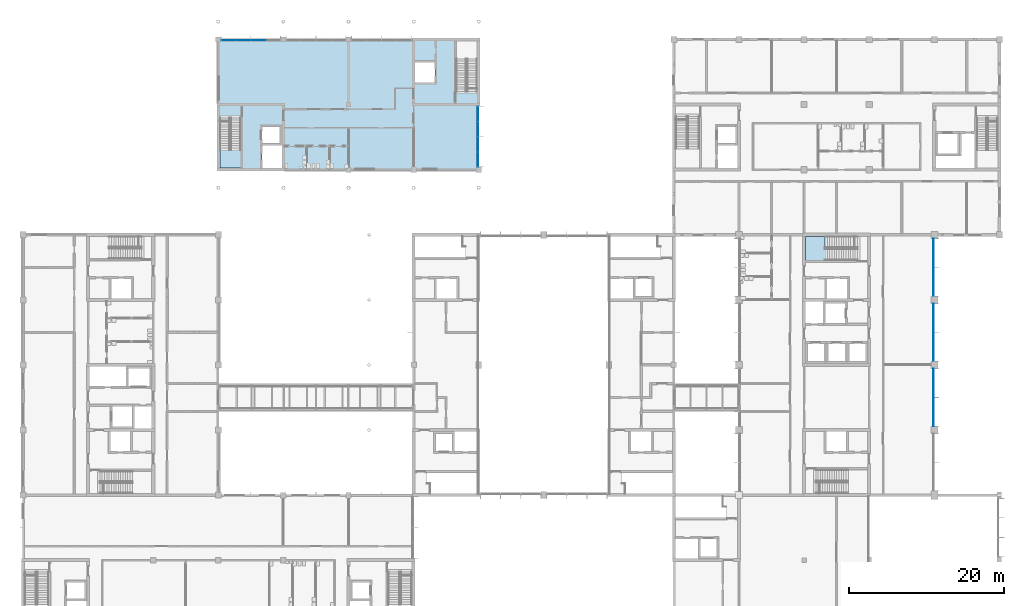
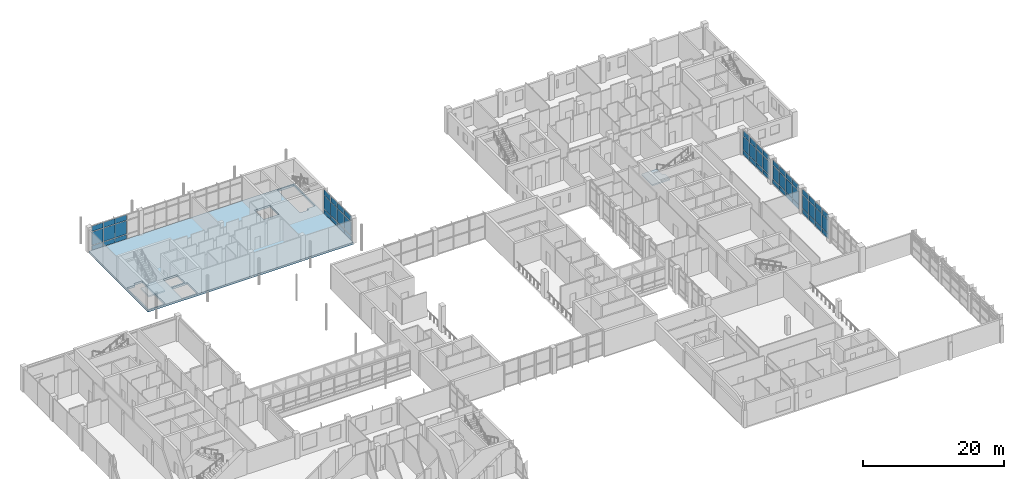
# One storey, part 29 of 70: 57 plates, 3 slabs, 7 elements without a shape of their own.
"""IFC4 building model written with IfcOpenShell, lengths in metres."""

from ifc_helpers import new_model, si_unit, direction, frame, origin, origin_2d, place, context, subcontext, project, spatial, polyline, rectangle, outline, extrude, material, layer, layer_set, type_object, element, aggregate, save


model = new_model("IFC4")

# Units and contexts
model_context = context("Model", 3, precision=1e-05, world=origin(), true_north=direction((0.0, 1.0)))
body_context = subcontext(model_context, "Body", "Model", "MODEL_VIEW")
ifc_project = project(units=[si_unit("LENGTHUNIT", "METRE"), si_unit("AREAUNIT", "SQUARE_METRE"), si_unit("VOLUMEUNIT", "CUBIC_METRE"), si_unit("PLANEANGLEUNIT", "RADIAN"), si_unit("MASSUNIT", "GRAM", prefix="KILO")], contexts=[model_context])

# Site, building, storey
site_placement = place(None, origin())
site = spatial("IfcSite", under=ifc_project, at=site_placement, CompositionType="ELEMENT")
building_placement = place(site_placement, origin())
building = spatial("IfcBuilding", under=site, at=building_placement, Name="Hlaing Beacon Police Headquarters", CompositionType="ELEMENT")
storey_placement = place(building_placement, frame((0.0, 0.0, 5.39990234375)))
storey = spatial("IfcBuildingStorey", under=building, at=storey_placement, Name="L01", CompositionType="ELEMENT", Elevation=5.39990234375)

# Curtain wall, plates
ifc_material_1 = material(Name="Aluminium frame with solar control glazing", Category="aluminium")
curtain_wall_type_1 = type_object("IfcCurtainWallType", Name="Unitised curtain wall 7.70 x 4.37", PredefinedType="NOTDEFINED", material=ifc_material_1)
curtain_wall_1_placement = place(storey_placement, origin())
curtain_wall_1 = element("IfcCurtainWall", 1, at=curtain_wall_1_placement, inside=storey, type_object=curtain_wall_type_1, Name="ENV-CW-L01-N030", PredefinedType="NOTDEFINED")
ifc_material_2 = material(Name="Solar control glazing", Category="glass")
ifc_layer_1 = layer(ifc_material_2, 0.02392578125)
ifc_layer_set_1 = layer_set([ifc_layer_1], Name="Solar control glazing")
plate_type_1 = type_object("IfcPlateType", Name="Clear glazing panel 24", PredefinedType="CURTAIN_PANEL", material=ifc_layer_set_1)
plate_1_placement = place(storey_placement, frame((38.762451171875, 92.300048828125, 3.35009765625), z_axis=(0.0, 0.0, 1.0), x_axis=(-1.0, 0.0, 0.0)))
plate_1 = element("IfcPlate", 2, at=plate_1_placement, type_object=plate_type_1, Name="CW-L01-N030 panel 2.3", PredefinedType="CURTAIN_PANEL", context=body_context, shape_type="SweptSolid", body=[
    extrude(rectangle(XDim=1.864990234375, YDim=0.02392578125, at=origin_2d()), origin(), (0.0, 0.0, 1.0), 0.919921875),
])
plate_2_placement = place(storey_placement, frame((36.83740234375, 92.300048828125, 3.35009765625), z_axis=(0.0, 0.0, 1.0), x_axis=(-1.0, 0.0, 0.0)))
plate_2 = element("IfcPlate", 3, at=plate_2_placement, type_object=plate_type_1, Name="CW-L01-N030 panel 3.3", PredefinedType="CURTAIN_PANEL", context=body_context, shape_type="SweptSolid", body=[
    extrude(rectangle(XDim=1.864990234375, YDim=0.02392578125, at=origin_2d()), origin(), (0.0, 0.0, 1.0), 0.919921875),
])
plate_3_placement = place(storey_placement, frame((34.927490234375, 92.300048828125, 3.35009765625), z_axis=(0.0, 0.0, 1.0), x_axis=(-1.0, 0.0, 0.0)))
plate_3 = element("IfcPlate", 4, at=plate_3_placement, type_object=plate_type_1, Name="CW-L01-N030 panel 4.3", PredefinedType="CURTAIN_PANEL", context=body_context, shape_type="SweptSolid", body=[
    extrude(rectangle(XDim=1.8349609375, YDim=0.02392578125, at=origin_2d()), origin(), (0.0, 0.0, 1.0), 0.919921875),
])

ifc_material_3 = material(Name="Aluminium frame with solar control glazing", Category="aluminium")
curtain_wall_type_2 = type_object("IfcCurtainWallType", Name="Unitised curtain wall 7.85 x 4.37", PredefinedType="NOTDEFINED", material=ifc_material_3)
curtain_wall_2_placement = place(storey_placement, origin())
curtain_wall_2 = element("IfcCurtainWall", 5, at=curtain_wall_2_placement, inside=storey, type_object=curtain_wall_type_2, Name="ENV-CW-L01-E031", PredefinedType="NOTDEFINED")
plate_4_placement = place(storey_placement, frame((67.10009765625, 76.9462890625, 3.35009765625), z_axis=(0.0, 0.0, 1.0), x_axis=(0.0, 1.0, 0.0)))
plate_4 = element("IfcPlate", 6, at=plate_4_placement, type_object=plate_type_1, Name="CW-L01-E031 panel 1.3", PredefinedType="CURTAIN_PANEL", context=body_context, shape_type="SweptSolid", body=[
    extrude(rectangle(XDim=1.87255859375, YDim=0.02392578125, at=origin_2d()), origin(), (0.0, 0.0, 1.0), 0.919921875),
])
plate_5_placement = place(storey_placement, frame((67.10009765625, 78.893798828125, 3.35009765625), z_axis=(0.0, 0.0, 1.0), x_axis=(0.0, 1.0, 0.0)))
plate_5 = element("IfcPlate", 7, at=plate_5_placement, type_object=plate_type_1, Name="CW-L01-E031 panel 2.3", PredefinedType="CURTAIN_PANEL", context=body_context, shape_type="SweptSolid", body=[
    extrude(rectangle(XDim=1.902587890625, YDim=0.02392578125, at=origin_2d()), origin(), (0.0, 0.0, 1.0), 0.919921875),
])
plate_6_placement = place(storey_placement, frame((67.10009765625, 80.856201171875, 3.35009765625), z_axis=(0.0, 0.0, 1.0), x_axis=(0.0, 1.0, 0.0)))
plate_6 = element("IfcPlate", 8, at=plate_6_placement, type_object=plate_type_1, Name="CW-L01-E031 panel 3.3", PredefinedType="CURTAIN_PANEL", context=body_context, shape_type="SweptSolid", body=[
    extrude(rectangle(XDim=1.902587890625, YDim=0.02392578125, at=origin_2d()), origin(), (0.0, 0.0, 1.0), 0.919921875),
])
plate_7_placement = place(storey_placement, frame((67.10009765625, 82.8037109375, 3.35009765625), z_axis=(0.0, 0.0, 1.0), x_axis=(0.0, 1.0, 0.0)))
plate_7 = element("IfcPlate", 9, at=plate_7_placement, type_object=plate_type_1, Name="CW-L01-E031 panel 4.3", PredefinedType="CURTAIN_PANEL", context=body_context, shape_type="SweptSolid", body=[
    extrude(rectangle(XDim=1.87255859375, YDim=0.02392578125, at=origin_2d()), origin(), (0.0, 0.0, 1.0), 0.919921875),
])

ifc_material_4 = material(Name="Aluminium frame with solar control glazing", Category="aluminium")
curtain_wall_type_3 = type_object("IfcCurtainWallType", Name="Unitised curtain wall 7.50 x 4.37", PredefinedType="NOTDEFINED", material=ifc_material_4)
curtain_wall_3_placement = place(storey_placement, origin())
curtain_wall_3 = element("IfcCurtainWall", 10, at=curtain_wall_3_placement, inside=storey, type_object=curtain_wall_type_3, Name="ENV-CW-L01-E020", PredefinedType="NOTDEFINED")
ifc_material_5 = material(Name="Solar control glazing", Category="glass")
ifc_layer_2 = layer(ifc_material_5, 0.0439453125)
ifc_layer_set_2 = layer_set([ifc_layer_2], Name="Solar control glazing")
plate_type_2 = type_object("IfcPlateType", Name="Clear glazing panel 44", PredefinedType="CURTAIN_PANEL", material=ifc_layer_set_2)
plate_8_placement = place(storey_placement, frame((125.89990234375, 45.262451171875, 0.9501953125), z_axis=(0.0, 0.0, 1.0), x_axis=(0.0, 1.0, 0.0)))
plate_8 = element("IfcPlate", 11, at=plate_8_placement, type_object=plate_type_2, Name="CW-L01-E020 panel 2.2", PredefinedType="CURTAIN_PANEL", context=body_context, shape_type="SweptSolid", body=[
    extrude(rectangle(XDim=1.81494140625, YDim=0.0439453125, at=origin_2d()), origin(), (0.0, 0.0, 1.0), 2.300048828125),
])
plate_9_placement = place(storey_placement, frame((125.89990234375, 48.99755859375, 0.9501953125), z_axis=(0.0, 0.0, 1.0), x_axis=(0.0, 1.0, 0.0)))
plate_9 = element("IfcPlate", 12, at=plate_9_placement, type_object=plate_type_2, Name="CW-L01-E020 panel 4.2", PredefinedType="CURTAIN_PANEL", context=body_context, shape_type="SweptSolid", body=[
    extrude(rectangle(XDim=1.784912109375, YDim=0.0439453125, at=origin_2d()), origin(), (0.0, 0.0, 1.0), 2.300048828125),
])

curtain_wall_4_placement = place(storey_placement, origin())
curtain_wall_4 = element("IfcCurtainWall", 13, at=curtain_wall_4_placement, inside=storey, type_object=curtain_wall_type_3, Name="ENV-CW-L01-E021", PredefinedType="NOTDEFINED")
plate_10_placement = place(storey_placement, frame((125.89990234375, 53.66259765625, 0.9501953125), z_axis=(0.0, 0.0, 1.0), x_axis=(0.0, 1.0, 0.0)))
plate_10 = element("IfcPlate", 14, at=plate_10_placement, type_object=plate_type_2, Name="CW-L01-E021 panel 2.2", PredefinedType="CURTAIN_PANEL", context=body_context, shape_type="SweptSolid", body=[
    extrude(rectangle(XDim=1.81494140625, YDim=0.0439453125, at=origin_2d()), origin(), (0.0, 0.0, 1.0), 2.300048828125),
])
plate_11_placement = place(storey_placement, frame((125.89990234375, 57.3974609375, 0.9501953125), z_axis=(0.0, 0.0, 1.0), x_axis=(0.0, 1.0, 0.0)))
plate_11 = element("IfcPlate", 15, at=plate_11_placement, type_object=plate_type_2, Name="CW-L01-E021 panel 4.2", PredefinedType="CURTAIN_PANEL", context=body_context, shape_type="SweptSolid", body=[
    extrude(rectangle(XDim=1.784912109375, YDim=0.0439453125, at=origin_2d()), origin(), (0.0, 0.0, 1.0), 2.300048828125),
])

curtain_wall_5_placement = place(storey_placement, origin())
curtain_wall_5 = element("IfcCurtainWall", 16, at=curtain_wall_5_placement, inside=storey, type_object=curtain_wall_type_3, Name="ENV-CW-L01-E022", PredefinedType="NOTDEFINED")
plate_12_placement = place(storey_placement, frame((125.89990234375, 62.0625, 0.9501953125), z_axis=(0.0, 0.0, 1.0), x_axis=(0.0, 1.0, 0.0)))
plate_12 = element("IfcPlate", 17, at=plate_12_placement, type_object=plate_type_2, Name="CW-L01-E022 panel 2.2", PredefinedType="CURTAIN_PANEL", context=body_context, shape_type="SweptSolid", body=[
    extrude(rectangle(XDim=1.81494140625, YDim=0.0439453125, at=origin_2d()), origin(), (0.0, 0.0, 1.0), 2.300048828125),
])
plate_13_placement = place(storey_placement, frame((125.89990234375, 65.797607421875, 0.9501953125), z_axis=(0.0, 0.0, 1.0), x_axis=(0.0, 1.0, 0.0)))
plate_13 = element("IfcPlate", 18, at=plate_13_placement, type_object=plate_type_2, Name="CW-L01-E022 panel 4.2", PredefinedType="CURTAIN_PANEL", context=body_context, shape_type="SweptSolid", body=[
    extrude(rectangle(XDim=1.784912109375, YDim=0.0439453125, at=origin_2d()), origin(), (0.0, 0.0, 1.0), 2.300048828125),
])

# Plate
plate_14_placement = place(storey_placement, frame((38.762451171875, 92.300048828125, 0.9501953125), z_axis=(0.0, 0.0, 1.0), x_axis=(-1.0, 0.0, 0.0)))
plate_14 = element("IfcPlate", 19, at=plate_14_placement, type_object=plate_type_2, Name="CW-L01-N030 panel 2.2", PredefinedType="CURTAIN_PANEL", context=body_context, shape_type="SweptSolid", body=[
    extrude(rectangle(XDim=1.864990234375, YDim=0.0439453125, at=origin_2d()), origin(), (0.0, 0.0, 1.0), 2.300048828125),
])

plate_15_placement = place(storey_placement, frame((36.83740234375, 92.300048828125, 0.9501953125), z_axis=(0.0, 0.0, 1.0), x_axis=(-1.0, 0.0, 0.0)))
plate_15 = element("IfcPlate", 20, at=plate_15_placement, type_object=plate_type_2, Name="CW-L01-N030 panel 3.2", PredefinedType="CURTAIN_PANEL", context=body_context, shape_type="SweptSolid", body=[
    extrude(rectangle(XDim=1.864990234375, YDim=0.0439453125, at=origin_2d()), origin(), (0.0, 0.0, 1.0), 2.300048828125),
])

plate_16_placement = place(storey_placement, frame((34.927490234375, 92.300048828125, 0.9501953125), z_axis=(0.0, 0.0, 1.0), x_axis=(-1.0, 0.0, 0.0)))
plate_16 = element("IfcPlate", 21, at=plate_16_placement, type_object=plate_type_2, Name="CW-L01-N030 panel 4.2", PredefinedType="CURTAIN_PANEL", context=body_context, shape_type="SweptSolid", body=[
    extrude(rectangle(XDim=1.8349609375, YDim=0.0439453125, at=origin_2d()), origin(), (0.0, 0.0, 1.0), 2.300048828125),
])

plate_17_placement = place(storey_placement, frame((67.10009765625, 76.9462890625, 0.9501953125), z_axis=(0.0, 0.0, 1.0), x_axis=(0.0, 1.0, 0.0)))
plate_17 = element("IfcPlate", 22, at=plate_17_placement, type_object=plate_type_2, Name="CW-L01-E031 panel 1.2", PredefinedType="CURTAIN_PANEL", context=body_context, shape_type="SweptSolid", body=[
    extrude(rectangle(XDim=1.87255859375, YDim=0.0439453125, at=origin_2d()), origin(), (0.0, 0.0, 1.0), 2.300048828125),
])

plate_18_placement = place(storey_placement, frame((67.10009765625, 78.893798828125, 0.9501953125), z_axis=(0.0, 0.0, 1.0), x_axis=(0.0, 1.0, 0.0)))
plate_18 = element("IfcPlate", 23, at=plate_18_placement, type_object=plate_type_2, Name="CW-L01-E031 panel 2.2", PredefinedType="CURTAIN_PANEL", context=body_context, shape_type="SweptSolid", body=[
    extrude(rectangle(XDim=1.902587890625, YDim=0.0439453125, at=origin_2d()), origin(), (0.0, 0.0, 1.0), 2.300048828125),
])

plate_19_placement = place(storey_placement, frame((67.10009765625, 80.856201171875, 0.9501953125), z_axis=(0.0, 0.0, 1.0), x_axis=(0.0, 1.0, 0.0)))
plate_19 = element("IfcPlate", 24, at=plate_19_placement, type_object=plate_type_2, Name="CW-L01-E031 panel 3.2", PredefinedType="CURTAIN_PANEL", context=body_context, shape_type="SweptSolid", body=[
    extrude(rectangle(XDim=1.902587890625, YDim=0.0439453125, at=origin_2d()), origin(), (0.0, 0.0, 1.0), 2.300048828125),
])

plate_20_placement = place(storey_placement, frame((67.10009765625, 82.8037109375, 0.9501953125), z_axis=(0.0, 0.0, 1.0), x_axis=(0.0, 1.0, 0.0)))
plate_20 = element("IfcPlate", 25, at=plate_20_placement, type_object=plate_type_2, Name="CW-L01-E031 panel 4.2", PredefinedType="CURTAIN_PANEL", context=body_context, shape_type="SweptSolid", body=[
    extrude(rectangle(XDim=1.87255859375, YDim=0.0439453125, at=origin_2d()), origin(), (0.0, 0.0, 1.0), 2.300048828125),
])

# Slab
ifc_material_6 = material(Name="Concrete C50/60", Category="concrete")
ifc_layer_3 = layer(ifc_material_6, 0.35009765625)
ifc_layer_set_3 = layer_set([ifc_layer_3], Name="Concrete C50/60")
slab_type_1 = type_object("IfcSlabType", Name="Flat slab 350", PredefinedType="FLOOR", material=ifc_layer_set_3)
slab_1_placement = place(storey_placement, frame((0.0, 0.0, -0.349853515625)))
element("IfcSlab", 26, at=slab_1_placement, inside=storey, type_object=slab_type_1, Name="STR-SLAB-L01-05", PredefinedType="FLOOR", context=body_context, shape_type="SweptSolid", body=[
    extrude(outline(polyline([(33.60009765625, 75.60009765625), (67.199951171875, 75.60009765625), (67.199951171875, 92.39990234375), (33.60009765625, 92.39990234375), (33.60009765625, 75.60009765625)]), holes=[polyline([(33.800048828125, 75.800048828125), (36.5, 75.800048828125), (36.5, 82.2900390625), (35.10009765625, 82.2900390625), (35.10009765625, 81.89990234375), (33.800048828125, 81.89990234375), (33.800048828125, 75.800048828125)]), polyline([(39.25, 75.800048828125), (41.800048828125, 75.800048828125), (41.800048828125, 78.75), (39.25, 78.75), (39.25, 75.800048828125)]), polyline([(39.25, 79.0), (41.550048828125, 79.0), (41.550048828125, 81.14990234375), (39.25, 81.14990234375), (39.25, 79.0)]), polyline([(59.0, 86.85009765625), (61.550048828125, 86.85009765625), (61.550048828125, 89.449951171875), (59.0, 89.449951171875), (59.0, 86.85009765625)]), polyline([(64.300048828125, 85.7099609375), (65.699951171875, 85.7099609375), (65.699951171875, 86.10009765625), (67.0, 86.10009765625), (67.0, 92.199951171875), (64.300048828125, 92.199951171875), (64.300048828125, 85.7099609375)])]), origin(), (0.0, 0.0, 1.0), 0.349853515625),
])

# Plate
ifc_material_7 = material(Name="Fritted solar control glazing", Category="glass")
ifc_layer_4 = layer(ifc_material_7, 0.0439453125)
ifc_layer_set_4 = layer_set([ifc_layer_4], Name="Fritted solar control glazing")
plate_type_3 = type_object("IfcPlateType", Name="Fritted glazing panel 44", PredefinedType="CURTAIN_PANEL", material=ifc_layer_set_4)
plate_21_placement = place(storey_placement, frame((125.89990234375, 43.402587890625, 0.9501953125), z_axis=(0.0, 0.0, 1.0), x_axis=(0.0, 1.0, 0.0)))
plate_21 = element("IfcPlate", 27, at=plate_21_placement, type_object=plate_type_3, Name="CW-L01-E020 panel 1.2", PredefinedType="CURTAIN_PANEL", context=body_context, shape_type="SweptSolid", body=[
    extrude(rectangle(XDim=1.784912109375, YDim=0.0439453125, at=origin_2d()), origin(), (0.0, 0.0, 1.0), 2.300048828125),
])

plate_22_placement = place(storey_placement, frame((125.89990234375, 47.137451171875, 0.9501953125), z_axis=(0.0, 0.0, 1.0), x_axis=(0.0, 1.0, 0.0)))
plate_22 = element("IfcPlate", 28, at=plate_22_placement, type_object=plate_type_3, Name="CW-L01-E020 panel 3.2", PredefinedType="CURTAIN_PANEL", context=body_context, shape_type="SweptSolid", body=[
    extrude(rectangle(XDim=1.81494140625, YDim=0.0439453125, at=origin_2d()), origin(), (0.0, 0.0, 1.0), 2.300048828125),
])

plate_23_placement = place(storey_placement, frame((125.89990234375, 51.802490234375, 0.9501953125), z_axis=(0.0, 0.0, 1.0), x_axis=(0.0, 1.0, 0.0)))
plate_23 = element("IfcPlate", 29, at=plate_23_placement, type_object=plate_type_3, Name="CW-L01-E021 panel 1.2", PredefinedType="CURTAIN_PANEL", context=body_context, shape_type="SweptSolid", body=[
    extrude(rectangle(XDim=1.784912109375, YDim=0.0439453125, at=origin_2d()), origin(), (0.0, 0.0, 1.0), 2.300048828125),
])

plate_24_placement = place(storey_placement, frame((125.89990234375, 55.53759765625, 0.9501953125), z_axis=(0.0, 0.0, 1.0), x_axis=(0.0, 1.0, 0.0)))
plate_24 = element("IfcPlate", 30, at=plate_24_placement, type_object=plate_type_3, Name="CW-L01-E021 panel 3.2", PredefinedType="CURTAIN_PANEL", context=body_context, shape_type="SweptSolid", body=[
    extrude(rectangle(XDim=1.81494140625, YDim=0.0439453125, at=origin_2d()), origin(), (0.0, 0.0, 1.0), 2.300048828125),
])

plate_25_placement = place(storey_placement, frame((125.89990234375, 60.202392578125, 0.9501953125), z_axis=(0.0, 0.0, 1.0), x_axis=(0.0, 1.0, 0.0)))
plate_25 = element("IfcPlate", 31, at=plate_25_placement, type_object=plate_type_3, Name="CW-L01-E022 panel 1.2", PredefinedType="CURTAIN_PANEL", context=body_context, shape_type="SweptSolid", body=[
    extrude(rectangle(XDim=1.784912109375, YDim=0.0439453125, at=origin_2d()), origin(), (0.0, 0.0, 1.0), 2.300048828125),
])

plate_26_placement = place(storey_placement, frame((125.89990234375, 63.9375, 0.9501953125), z_axis=(0.0, 0.0, 1.0), x_axis=(0.0, 1.0, 0.0)))
plate_26 = element("IfcPlate", 32, at=plate_26_placement, type_object=plate_type_3, Name="CW-L01-E022 panel 3.2", PredefinedType="CURTAIN_PANEL", context=body_context, shape_type="SweptSolid", body=[
    extrude(rectangle(XDim=1.81494140625, YDim=0.0439453125, at=origin_2d()), origin(), (0.0, 0.0, 1.0), 2.300048828125),
])

ifc_material_8 = material(Name="Insulated aluminium spandrel", Category="aluminium")
ifc_layer_5 = layer(ifc_material_8, 0.0400390625)
ifc_layer_set_5 = layer_set([ifc_layer_5], Name="Insulated aluminium spandrel")
plate_type_4 = type_object("IfcPlateType", Name="Insulated spandrel panel 40", PredefinedType="CURTAIN_PANEL", material=ifc_layer_set_5)
plate_27_placement = place(storey_placement, frame((38.762451171875, 92.300048828125, 0.10009765625), z_axis=(0.0, 0.0, 1.0), x_axis=(-1.0, 0.0, 0.0)))
plate_27 = element("IfcPlate", 33, at=plate_27_placement, type_object=plate_type_4, Name="CW-L01-N030 panel 2.1", PredefinedType="CURTAIN_PANEL", context=body_context, shape_type="SweptSolid", body=[
    extrude(rectangle(XDim=1.864990234375, YDim=0.0400390625, at=origin_2d()), origin(), (0.0, 0.0, 1.0), 0.75),
])

plate_28_placement = place(storey_placement, frame((36.83740234375, 92.300048828125, 0.10009765625), z_axis=(0.0, 0.0, 1.0), x_axis=(-1.0, 0.0, 0.0)))
plate_28 = element("IfcPlate", 34, at=plate_28_placement, type_object=plate_type_4, Name="CW-L01-N030 panel 3.1", PredefinedType="CURTAIN_PANEL", context=body_context, shape_type="SweptSolid", body=[
    extrude(rectangle(XDim=1.864990234375, YDim=0.0400390625, at=origin_2d()), origin(), (0.0, 0.0, 1.0), 0.75),
])

plate_29_placement = place(storey_placement, frame((34.927490234375, 92.300048828125, 0.10009765625), z_axis=(0.0, 0.0, 1.0), x_axis=(-1.0, 0.0, 0.0)))
plate_29 = element("IfcPlate", 35, at=plate_29_placement, type_object=plate_type_4, Name="CW-L01-N030 panel 4.1", PredefinedType="CURTAIN_PANEL", context=body_context, shape_type="SweptSolid", body=[
    extrude(rectangle(XDim=1.8349609375, YDim=0.0400390625, at=origin_2d()), origin(), (0.0, 0.0, 1.0), 0.75),
])

aggregate(curtain_wall_1, [plate_27, plate_14, plate_1, plate_28, plate_15, plate_2, plate_29, plate_16, plate_3])

ifc_material_9 = material(Name="Insulated aluminium spandrel", Category="aluminium")
ifc_layer_6 = layer(ifc_material_9, 0.06005859375)
ifc_layer_set_6 = layer_set([ifc_layer_6], Name="Insulated aluminium spandrel")
plate_type_5 = type_object("IfcPlateType", Name="Insulated spandrel panel 60", PredefinedType="CURTAIN_PANEL", material=ifc_layer_set_6)
plate_30_placement = place(storey_placement, frame((125.89990234375, 43.402587890625, 0.10009765625), z_axis=(0.0, 0.0, 1.0), x_axis=(0.0, 1.0, 0.0)))
plate_30 = element("IfcPlate", 36, at=plate_30_placement, type_object=plate_type_5, Name="CW-L01-E020 panel 1.1", PredefinedType="CURTAIN_PANEL", context=body_context, shape_type="SweptSolid", body=[
    extrude(rectangle(XDim=1.784912109375, YDim=0.06005859375, at=origin_2d()), origin(), (0.0, 0.0, 1.0), 0.75),
])

plate_31_placement = place(storey_placement, frame((125.89990234375, 45.262451171875, 0.10009765625), z_axis=(0.0, 0.0, 1.0), x_axis=(0.0, 1.0, 0.0)))
plate_31 = element("IfcPlate", 37, at=plate_31_placement, type_object=plate_type_5, Name="CW-L01-E020 panel 2.1", PredefinedType="CURTAIN_PANEL", context=body_context, shape_type="SweptSolid", body=[
    extrude(rectangle(XDim=1.81494140625, YDim=0.06005859375, at=origin_2d()), origin(), (0.0, 0.0, 1.0), 0.75),
])

plate_32_placement = place(storey_placement, frame((125.89990234375, 47.137451171875, 0.10009765625), z_axis=(0.0, 0.0, 1.0), x_axis=(0.0, 1.0, 0.0)))
plate_32 = element("IfcPlate", 38, at=plate_32_placement, type_object=plate_type_5, Name="CW-L01-E020 panel 3.1", PredefinedType="CURTAIN_PANEL", context=body_context, shape_type="SweptSolid", body=[
    extrude(rectangle(XDim=1.81494140625, YDim=0.06005859375, at=origin_2d()), origin(), (0.0, 0.0, 1.0), 0.75),
])

plate_33_placement = place(storey_placement, frame((125.89990234375, 48.99755859375, 0.10009765625), z_axis=(0.0, 0.0, 1.0), x_axis=(0.0, 1.0, 0.0)))
plate_33 = element("IfcPlate", 39, at=plate_33_placement, type_object=plate_type_5, Name="CW-L01-E020 panel 4.1", PredefinedType="CURTAIN_PANEL", context=body_context, shape_type="SweptSolid", body=[
    extrude(rectangle(XDim=1.784912109375, YDim=0.06005859375, at=origin_2d()), origin(), (0.0, 0.0, 1.0), 0.75),
])

plate_34_placement = place(storey_placement, frame((125.89990234375, 51.802490234375, 0.10009765625), z_axis=(0.0, 0.0, 1.0), x_axis=(0.0, 1.0, 0.0)))
plate_34 = element("IfcPlate", 40, at=plate_34_placement, type_object=plate_type_5, Name="CW-L01-E021 panel 1.1", PredefinedType="CURTAIN_PANEL", context=body_context, shape_type="SweptSolid", body=[
    extrude(rectangle(XDim=1.784912109375, YDim=0.06005859375, at=origin_2d()), origin(), (0.0, 0.0, 1.0), 0.75),
])

plate_35_placement = place(storey_placement, frame((125.89990234375, 53.66259765625, 0.10009765625), z_axis=(0.0, 0.0, 1.0), x_axis=(0.0, 1.0, 0.0)))
plate_35 = element("IfcPlate", 41, at=plate_35_placement, type_object=plate_type_5, Name="CW-L01-E021 panel 2.1", PredefinedType="CURTAIN_PANEL", context=body_context, shape_type="SweptSolid", body=[
    extrude(rectangle(XDim=1.81494140625, YDim=0.06005859375, at=origin_2d()), origin(), (0.0, 0.0, 1.0), 0.75),
])

plate_36_placement = place(storey_placement, frame((125.89990234375, 55.53759765625, 0.10009765625), z_axis=(0.0, 0.0, 1.0), x_axis=(0.0, 1.0, 0.0)))
plate_36 = element("IfcPlate", 42, at=plate_36_placement, type_object=plate_type_5, Name="CW-L01-E021 panel 3.1", PredefinedType="CURTAIN_PANEL", context=body_context, shape_type="SweptSolid", body=[
    extrude(rectangle(XDim=1.81494140625, YDim=0.06005859375, at=origin_2d()), origin(), (0.0, 0.0, 1.0), 0.75),
])

plate_37_placement = place(storey_placement, frame((125.89990234375, 57.3974609375, 0.10009765625), z_axis=(0.0, 0.0, 1.0), x_axis=(0.0, 1.0, 0.0)))
plate_37 = element("IfcPlate", 43, at=plate_37_placement, type_object=plate_type_5, Name="CW-L01-E021 panel 4.1", PredefinedType="CURTAIN_PANEL", context=body_context, shape_type="SweptSolid", body=[
    extrude(rectangle(XDim=1.784912109375, YDim=0.06005859375, at=origin_2d()), origin(), (0.0, 0.0, 1.0), 0.75),
])

plate_38_placement = place(storey_placement, frame((125.89990234375, 60.202392578125, 0.10009765625), z_axis=(0.0, 0.0, 1.0), x_axis=(0.0, 1.0, 0.0)))
plate_38 = element("IfcPlate", 44, at=plate_38_placement, type_object=plate_type_5, Name="CW-L01-E022 panel 1.1", PredefinedType="CURTAIN_PANEL", context=body_context, shape_type="SweptSolid", body=[
    extrude(rectangle(XDim=1.784912109375, YDim=0.06005859375, at=origin_2d()), origin(), (0.0, 0.0, 1.0), 0.75),
])

plate_39_placement = place(storey_placement, frame((125.89990234375, 62.0625, 0.10009765625), z_axis=(0.0, 0.0, 1.0), x_axis=(0.0, 1.0, 0.0)))
plate_39 = element("IfcPlate", 45, at=plate_39_placement, type_object=plate_type_5, Name="CW-L01-E022 panel 2.1", PredefinedType="CURTAIN_PANEL", context=body_context, shape_type="SweptSolid", body=[
    extrude(rectangle(XDim=1.81494140625, YDim=0.06005859375, at=origin_2d()), origin(), (0.0, 0.0, 1.0), 0.75),
])

plate_40_placement = place(storey_placement, frame((125.89990234375, 63.9375, 0.10009765625), z_axis=(0.0, 0.0, 1.0), x_axis=(0.0, 1.0, 0.0)))
plate_40 = element("IfcPlate", 46, at=plate_40_placement, type_object=plate_type_5, Name="CW-L01-E022 panel 3.1", PredefinedType="CURTAIN_PANEL", context=body_context, shape_type="SweptSolid", body=[
    extrude(rectangle(XDim=1.81494140625, YDim=0.06005859375, at=origin_2d()), origin(), (0.0, 0.0, 1.0), 0.75),
])

plate_41_placement = place(storey_placement, frame((125.89990234375, 65.797607421875, 0.10009765625), z_axis=(0.0, 0.0, 1.0), x_axis=(0.0, 1.0, 0.0)))
plate_41 = element("IfcPlate", 47, at=plate_41_placement, type_object=plate_type_5, Name="CW-L01-E022 panel 4.1", PredefinedType="CURTAIN_PANEL", context=body_context, shape_type="SweptSolid", body=[
    extrude(rectangle(XDim=1.784912109375, YDim=0.06005859375, at=origin_2d()), origin(), (0.0, 0.0, 1.0), 0.75),
])

plate_42_placement = place(storey_placement, frame((67.10009765625, 76.9462890625, 0.10009765625), z_axis=(0.0, 0.0, 1.0), x_axis=(0.0, 1.0, 0.0)))
plate_42 = element("IfcPlate", 48, at=plate_42_placement, type_object=plate_type_5, Name="CW-L01-E031 panel 1.1", PredefinedType="CURTAIN_PANEL", context=body_context, shape_type="SweptSolid", body=[
    extrude(rectangle(XDim=1.87255859375, YDim=0.06005859375, at=origin_2d()), origin(), (0.0, 0.0, 1.0), 0.75),
])

plate_43_placement = place(storey_placement, frame((67.10009765625, 78.893798828125, 0.10009765625), z_axis=(0.0, 0.0, 1.0), x_axis=(0.0, 1.0, 0.0)))
plate_43 = element("IfcPlate", 49, at=plate_43_placement, type_object=plate_type_5, Name="CW-L01-E031 panel 2.1", PredefinedType="CURTAIN_PANEL", context=body_context, shape_type="SweptSolid", body=[
    extrude(rectangle(XDim=1.902587890625, YDim=0.06005859375, at=origin_2d()), origin(), (0.0, 0.0, 1.0), 0.75),
])

plate_44_placement = place(storey_placement, frame((67.10009765625, 80.856201171875, 0.10009765625), z_axis=(0.0, 0.0, 1.0), x_axis=(0.0, 1.0, 0.0)))
plate_44 = element("IfcPlate", 50, at=plate_44_placement, type_object=plate_type_5, Name="CW-L01-E031 panel 3.1", PredefinedType="CURTAIN_PANEL", context=body_context, shape_type="SweptSolid", body=[
    extrude(rectangle(XDim=1.902587890625, YDim=0.06005859375, at=origin_2d()), origin(), (0.0, 0.0, 1.0), 0.75),
])

plate_45_placement = place(storey_placement, frame((67.10009765625, 82.8037109375, 0.10009765625), z_axis=(0.0, 0.0, 1.0), x_axis=(0.0, 1.0, 0.0)))
plate_45 = element("IfcPlate", 51, at=plate_45_placement, type_object=plate_type_5, Name="CW-L01-E031 panel 4.1", PredefinedType="CURTAIN_PANEL", context=body_context, shape_type="SweptSolid", body=[
    extrude(rectangle(XDim=1.87255859375, YDim=0.06005859375, at=origin_2d()), origin(), (0.0, 0.0, 1.0), 0.75),
])

aggregate(curtain_wall_2, [plate_42, plate_17, plate_4, plate_43, plate_18, plate_5, plate_44, plate_19, plate_6, plate_45, plate_20, plate_7])

ifc_material_10 = material(Name="Perforated aluminium", Category="aluminium")
ifc_layer_7 = layer(ifc_material_10, 0.00390625)
ifc_layer_set_7 = layer_set([ifc_layer_7], Name="Perforated aluminium")
plate_type_6 = type_object("IfcPlateType", Name="Perforated aluminium vent panel 4", PredefinedType="CURTAIN_PANEL", material=ifc_layer_set_7)
plate_46_placement = place(storey_placement, frame((125.89990234375, 43.402587890625, 3.35009765625), z_axis=(0.0, 0.0, 1.0), x_axis=(0.0, 1.0, 0.0)))
plate_46 = element("IfcPlate", 52, at=plate_46_placement, type_object=plate_type_6, Name="CW-L01-E020 panel 1.3", PredefinedType="CURTAIN_PANEL", context=body_context, shape_type="SweptSolid", body=[
    extrude(rectangle(XDim=1.784912109375, YDim=0.00390625, at=origin_2d()), origin(), (0.0, 0.0, 1.0), 0.919921875),
])

plate_47_placement = place(storey_placement, frame((125.89990234375, 45.262451171875, 3.35009765625), z_axis=(0.0, 0.0, 1.0), x_axis=(0.0, 1.0, 0.0)))
plate_47 = element("IfcPlate", 53, at=plate_47_placement, type_object=plate_type_6, Name="CW-L01-E020 panel 2.3", PredefinedType="CURTAIN_PANEL", context=body_context, shape_type="SweptSolid", body=[
    extrude(rectangle(XDim=1.81494140625, YDim=0.00390625, at=origin_2d()), origin(), (0.0, 0.0, 1.0), 0.919921875),
])

plate_48_placement = place(storey_placement, frame((125.89990234375, 47.137451171875, 3.35009765625), z_axis=(0.0, 0.0, 1.0), x_axis=(0.0, 1.0, 0.0)))
plate_48 = element("IfcPlate", 54, at=plate_48_placement, type_object=plate_type_6, Name="CW-L01-E020 panel 3.3", PredefinedType="CURTAIN_PANEL", context=body_context, shape_type="SweptSolid", body=[
    extrude(rectangle(XDim=1.81494140625, YDim=0.00390625, at=origin_2d()), origin(), (0.0, 0.0, 1.0), 0.919921875),
])

plate_49_placement = place(storey_placement, frame((125.89990234375, 48.99755859375, 3.35009765625), z_axis=(0.0, 0.0, 1.0), x_axis=(0.0, 1.0, 0.0)))
plate_49 = element("IfcPlate", 55, at=plate_49_placement, type_object=plate_type_6, Name="CW-L01-E020 panel 4.3", PredefinedType="CURTAIN_PANEL", context=body_context, shape_type="SweptSolid", body=[
    extrude(rectangle(XDim=1.784912109375, YDim=0.00390625, at=origin_2d()), origin(), (0.0, 0.0, 1.0), 0.919921875),
])

aggregate(curtain_wall_3, [plate_30, plate_21, plate_46, plate_31, plate_8, plate_47, plate_32, plate_22, plate_48, plate_33, plate_9, plate_49])

plate_50_placement = place(storey_placement, frame((125.89990234375, 51.802490234375, 3.35009765625), z_axis=(0.0, 0.0, 1.0), x_axis=(0.0, 1.0, 0.0)))
plate_50 = element("IfcPlate", 56, at=plate_50_placement, type_object=plate_type_6, Name="CW-L01-E021 panel 1.3", PredefinedType="CURTAIN_PANEL", context=body_context, shape_type="SweptSolid", body=[
    extrude(rectangle(XDim=1.784912109375, YDim=0.00390625, at=origin_2d()), origin(), (0.0, 0.0, 1.0), 0.919921875),
])

plate_51_placement = place(storey_placement, frame((125.89990234375, 53.66259765625, 3.35009765625), z_axis=(0.0, 0.0, 1.0), x_axis=(0.0, 1.0, 0.0)))
plate_51 = element("IfcPlate", 57, at=plate_51_placement, type_object=plate_type_6, Name="CW-L01-E021 panel 2.3", PredefinedType="CURTAIN_PANEL", context=body_context, shape_type="SweptSolid", body=[
    extrude(rectangle(XDim=1.81494140625, YDim=0.00390625, at=origin_2d()), origin(), (0.0, 0.0, 1.0), 0.919921875),
])

plate_52_placement = place(storey_placement, frame((125.89990234375, 55.53759765625, 3.35009765625), z_axis=(0.0, 0.0, 1.0), x_axis=(0.0, 1.0, 0.0)))
plate_52 = element("IfcPlate", 58, at=plate_52_placement, type_object=plate_type_6, Name="CW-L01-E021 panel 3.3", PredefinedType="CURTAIN_PANEL", context=body_context, shape_type="SweptSolid", body=[
    extrude(rectangle(XDim=1.81494140625, YDim=0.00390625, at=origin_2d()), origin(), (0.0, 0.0, 1.0), 0.919921875),
])

plate_53_placement = place(storey_placement, frame((125.89990234375, 57.3974609375, 3.35009765625), z_axis=(0.0, 0.0, 1.0), x_axis=(0.0, 1.0, 0.0)))
plate_53 = element("IfcPlate", 59, at=plate_53_placement, type_object=plate_type_6, Name="CW-L01-E021 panel 4.3", PredefinedType="CURTAIN_PANEL", context=body_context, shape_type="SweptSolid", body=[
    extrude(rectangle(XDim=1.784912109375, YDim=0.00390625, at=origin_2d()), origin(), (0.0, 0.0, 1.0), 0.919921875),
])

aggregate(curtain_wall_4, [plate_34, plate_23, plate_50, plate_35, plate_10, plate_51, plate_36, plate_24, plate_52, plate_37, plate_11, plate_53])

plate_54_placement = place(storey_placement, frame((125.89990234375, 60.202392578125, 3.35009765625), z_axis=(0.0, 0.0, 1.0), x_axis=(0.0, 1.0, 0.0)))
plate_54 = element("IfcPlate", 60, at=plate_54_placement, type_object=plate_type_6, Name="CW-L01-E022 panel 1.3", PredefinedType="CURTAIN_PANEL", context=body_context, shape_type="SweptSolid", body=[
    extrude(rectangle(XDim=1.784912109375, YDim=0.00390625, at=origin_2d()), origin(), (0.0, 0.0, 1.0), 0.919921875),
])

plate_55_placement = place(storey_placement, frame((125.89990234375, 62.0625, 3.35009765625), z_axis=(0.0, 0.0, 1.0), x_axis=(0.0, 1.0, 0.0)))
plate_55 = element("IfcPlate", 61, at=plate_55_placement, type_object=plate_type_6, Name="CW-L01-E022 panel 2.3", PredefinedType="CURTAIN_PANEL", context=body_context, shape_type="SweptSolid", body=[
    extrude(rectangle(XDim=1.81494140625, YDim=0.00390625, at=origin_2d()), origin(), (0.0, 0.0, 1.0), 0.919921875),
])

plate_56_placement = place(storey_placement, frame((125.89990234375, 63.9375, 3.35009765625), z_axis=(0.0, 0.0, 1.0), x_axis=(0.0, 1.0, 0.0)))
plate_56 = element("IfcPlate", 62, at=plate_56_placement, type_object=plate_type_6, Name="CW-L01-E022 panel 3.3", PredefinedType="CURTAIN_PANEL", context=body_context, shape_type="SweptSolid", body=[
    extrude(rectangle(XDim=1.81494140625, YDim=0.00390625, at=origin_2d()), origin(), (0.0, 0.0, 1.0), 0.919921875),
])

plate_57_placement = place(storey_placement, frame((125.89990234375, 65.797607421875, 3.35009765625), z_axis=(0.0, 0.0, 1.0), x_axis=(0.0, 1.0, 0.0)))
plate_57 = element("IfcPlate", 63, at=plate_57_placement, type_object=plate_type_6, Name="CW-L01-E022 panel 4.3", PredefinedType="CURTAIN_PANEL", context=body_context, shape_type="SweptSolid", body=[
    extrude(rectangle(XDim=1.784912109375, YDim=0.00390625, at=origin_2d()), origin(), (0.0, 0.0, 1.0), 0.919921875),
])

aggregate(curtain_wall_5, [plate_38, plate_25, plate_54, plate_39, plate_12, plate_55, plate_40, plate_26, plate_56, plate_41, plate_13, plate_57])

# Stair, slab
ifc_material_11 = material(Name="Concrete C40/50", Category="concrete")
stair_type_1 = type_object("IfcStairType", Name="Half-turn stair 1300 wide, 4500 rise", PredefinedType="HALF_TURN_STAIR", material=ifc_material_11)
stair_1_placement = place(storey_placement, origin())
stair_1 = element("IfcStair", 64, at=stair_1_placement, inside=storey, type_object=stair_type_1, Name="Stair ST-E", PredefinedType="HALF_TURN_STAIR")
ifc_material_12 = material(Name="Concrete C40/50", Category="concrete")
ifc_layer_8 = layer(ifc_material_12, 0.219970703125)
ifc_layer_set_8 = layer_set([ifc_layer_8], Name="Concrete C40/50")
slab_type_2 = type_object("IfcSlabType", Name="Stair landing 220", PredefinedType="LANDING", material=ifc_layer_set_8)
slab_2_placement = place(storey_placement, frame((0.0, 0.0, 2.030029296875)))
slab_2 = element("IfcSlab", 65, at=slab_2_placement, type_object=slab_type_2, Name="ST-E landing 1", PredefinedType="LANDING", context=body_context, shape_type="SweptSolid", body=[
    extrude(outline(polyline([(33.800048828125, 78.110107421875), (33.800048828125, 75.800048828125), (36.5, 75.800048828125), (36.5, 78.5), (35.199951171875, 78.5), (35.199951171875, 78.110107421875), (33.800048828125, 78.110107421875)])), origin(), (0.0, 0.0, 1.0), 0.219970703125),
])
aggregate(stair_1, [slab_2])

ifc_material_13 = material(Name="Concrete C40/50", Category="concrete")
stair_type_2 = type_object("IfcStairType", Name="Half-turn stair 1500 wide, 4500 rise", PredefinedType="HALF_TURN_STAIR", material=ifc_material_13)
stair_2_placement = place(storey_placement, origin())
stair_2 = element("IfcStair", 66, at=stair_2_placement, inside=storey, type_object=stair_type_2, Name="Stair ST-M", PredefinedType="HALF_TURN_STAIR")
slab_3_placement = place(storey_placement, frame((0.0, 0.0, 2.030029296875)))
slab_3 = element("IfcSlab", 67, at=slab_3_placement, type_object=slab_type_2, Name="ST-M landing 1", PredefinedType="LANDING", context=body_context, shape_type="SweptSolid", body=[
    extrude(outline(polyline([(111.909912109375, 67.0), (109.39990234375, 67.0), (109.39990234375, 63.89990234375), (112.300048828125, 63.89990234375), (112.300048828125, 65.39990234375), (111.909912109375, 65.39990234375), (111.909912109375, 67.0)])), origin(), (0.0, 0.0, 1.0), 0.219970703125),
])
aggregate(stair_2, [slab_3])

save(model, "model.ifc")
